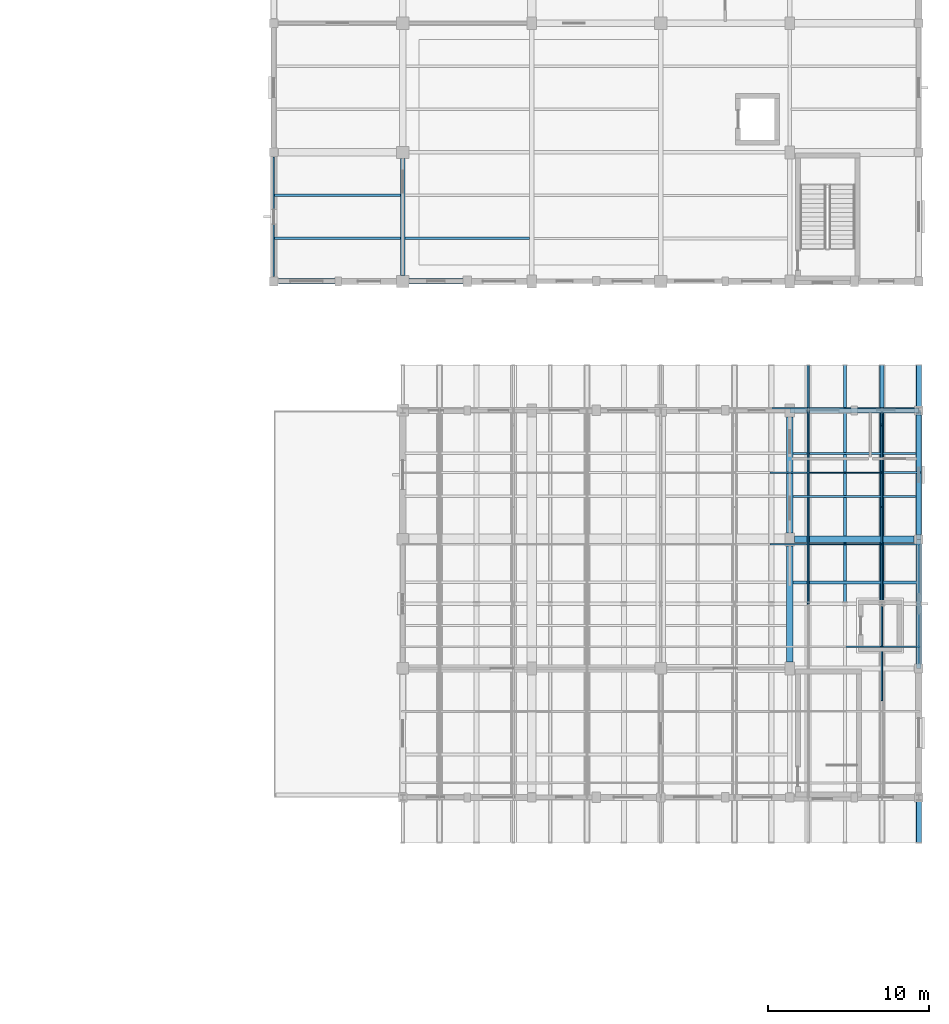
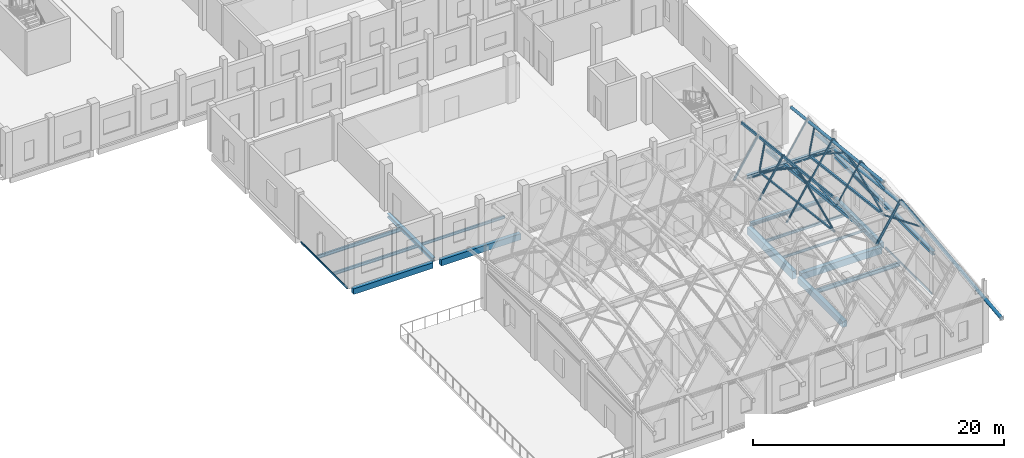
# One storey, part 24 of 77: 24 beams, 23 members.
"""IFC4 building model written with IfcOpenShell, lengths in metres."""

from ifc_helpers import new_model, si_unit, direction, frame, origin, origin_2d, place, context, subcontext, project, spatial, rectangle, hollow_rectangle, hollow_circle, i_section, extrude, material, material_profile, profile_set, type_object, element, save


model = new_model("IFC4")

# Units and contexts
model_context = context("Model", 3, precision=1e-05, world=origin(), true_north=direction((0.0, 1.0)))
body_context = subcontext(model_context, "Body", "Model", "MODEL_VIEW")
ifc_project = project(units=[si_unit("LENGTHUNIT", "METRE"), si_unit("AREAUNIT", "SQUARE_METRE"), si_unit("VOLUMEUNIT", "CUBIC_METRE"), si_unit("PLANEANGLEUNIT", "RADIAN"), si_unit("MASSUNIT", "GRAM", prefix="KILO")], contexts=[model_context])

# Site, building, storey
site_placement = place(None, origin())
site = spatial("IfcSite", under=ifc_project, at=site_placement, CompositionType="ELEMENT")
building_placement = place(site_placement, origin())
building = spatial("IfcBuilding", under=site, at=building_placement, Name="Luwemba Playhouse", CompositionType="ELEMENT")
storey_placement = place(building_placement, frame((0.0, 0.0, 9.300048828125)))
storey = spatial("IfcBuildingStorey", under=building, at=storey_placement, Name="L02", CompositionType="ELEMENT", Elevation=9.300048828125)

# Beams
ifc_material_1 = material(Name="Concrete C40/50", Category="concrete")
ifc_material_profile_1 = material_profile(ifc_material_1, rectangle(XDim=0.39990234375, YDim=0.60009765625, at=origin_2d()))
ifc_profile_set_1 = profile_set([ifc_material_profile_1], Name="Concrete C40/50")
beam_type_1 = type_object("IfcBeamType", Name="BM-RB01", PredefinedType="BEAM", material=ifc_profile_set_1)
beam_1_placement = place(storey_placement, frame((164.0, 44.39990234375, -0.550048828125), z_axis=(0.0, 1.0, 0.0), x_axis=(-1.0, 0.0, 0.0)))
element("IfcBeam", 1, at=beam_1_placement, inside=storey, type_object=beam_type_1, Name="L02 transverse girder 0720", PredefinedType="BEAM", context=body_context, shape_type="SweptSolid", body=[
    extrude(rectangle(XDim=0.39990234375, YDim=0.60009765625, at=origin_2d()), origin(), (0.0, 0.0, 1.0), 7.2001953125),
])
ifc_material_profile_2 = material_profile(ifc_material_1, rectangle(XDim=0.39990234375, YDim=0.64990234375, at=origin_2d()))
ifc_profile_set_2 = profile_set([ifc_material_profile_2], Name="Concrete C40/50")
beam_type_2 = type_object("IfcBeamType", Name="BM-RB02", PredefinedType="BEAM", material=ifc_profile_set_2)
beam_2_placement = place(storey_placement, frame((164.300048828125, 52.0, -0.574951171875), z_axis=(1.0, 0.0, 0.0), x_axis=(0.0, 1.0, 0.0)))
element("IfcBeam", 2, at=beam_2_placement, inside=storey, type_object=beam_type_2, Name="L02 grid girder 0707", PredefinedType="BEAM", context=body_context, shape_type="SweptSolid", body=[
    extrude(rectangle(XDim=0.39990234375, YDim=0.64990234375, at=origin_2d()), origin(), (0.0, 0.0, 1.0), 7.39990234375),
])
ifc_material_profile_3 = material_profile(ifc_material_1, rectangle(XDim=0.39990234375, YDim=0.75, at=origin_2d()))
ifc_profile_set_3 = profile_set([ifc_material_profile_3], Name="Concrete C40/50")
beam_type_3 = type_object("IfcBeamType", Name="BM-RB03", PredefinedType="BEAM", material=ifc_profile_set_3)
beam_3_placement = place(storey_placement, frame((164.0, 52.39990234375, -0.625), z_axis=(0.0, 1.0, 0.0), x_axis=(-1.0, 0.0, 0.0)))
element("IfcBeam", 3, at=beam_3_placement, inside=storey, type_object=beam_type_3, Name="L02 transverse girder 0721", PredefinedType="BEAM", context=body_context, shape_type="SweptSolid", body=[
    extrude(rectangle(XDim=0.39990234375, YDim=0.75, at=origin_2d()), origin(), (0.0, 0.0, 1.0), 7.2001953125),
])
ifc_material_2 = material(Name="Steel S355", Category="steel")
ifc_material_profile_4 = material_profile(ifc_material_2, hollow_rectangle(XDim=0.14990234375, YDim=0.25, WallThickness=0.010009765625, InnerFilletRadius=0.014892578125, OuterFilletRadius=0.02490234375, at=origin_2d()))
ifc_profile_set_4 = profile_set([ifc_material_profile_4], Name="Steel S355")
beam_type_4 = type_object("IfcBeamType", Name="BM-RTG1", PredefinedType="USERDEFINED", material=ifc_profile_set_4)
beam_4_placement = place(storey_placement, frame((165.142822265625, 48.110107421875, 9.130859375), z_axis=(0.0, 0.993768187881, -0.11146653648), x_axis=(-1.0, 0.0, 0.0)))
element("IfcBeam", 4, at=beam_4_placement, inside=storey, type_object=beam_type_4, Name="ROOF TRUSS ridge girder 0188", ObjectType="ROOF TRUSS", PredefinedType="USERDEFINED", context=body_context, shape_type="SweptSolid", body=[
    extrude(hollow_rectangle(XDim=0.14990234375, YDim=0.25, WallThickness=0.010009765625, InnerFilletRadius=0.014892578125, OuterFilletRadius=0.02490234375, at=origin_2d()), origin(), (0.0, 0.0, 1.0), 14.781982421875),
])
ifc_material_profile_5 = material_profile(ifc_material_2, hollow_rectangle(XDim=0.199951171875, YDim=0.300048828125, WallThickness=0.012451171875, InnerFilletRadius=0.018798828125, OuterFilletRadius=0.03125, at=origin_2d()))
ifc_profile_set_5 = profile_set([ifc_material_profile_5], Name="Steel S355")
beam_type_5 = type_object("IfcBeamType", Name="BM-RTG2", PredefinedType="USERDEFINED", material=ifc_profile_set_5)
beam_5_placement = place(storey_placement, frame((167.4287109375, 48.110107421875, 5.645751953125), z_axis=(0.0, 0.993768187881, -0.11146653648), x_axis=(-1.0, 0.0, 0.0)))
element("IfcBeam", 5, at=beam_5_placement, inside=storey, type_object=beam_type_5, Name="ROOF TRUSS valley girder 0190", ObjectType="ROOF TRUSS", PredefinedType="USERDEFINED", context=body_context, shape_type="SweptSolid", body=[
    extrude(hollow_rectangle(XDim=0.199951171875, YDim=0.300048828125, WallThickness=0.012451171875, InnerFilletRadius=0.018798828125, OuterFilletRadius=0.03125, at=origin_2d()), origin(), (0.0, 0.0, 1.0), 14.781982421875),
])
ifc_material_profile_6 = material_profile(ifc_material_2, hollow_circle(Radius=0.136474609375, WallThickness=0.012451171875, at=origin_2d()))
ifc_profile_set_6 = profile_set([ifc_material_profile_6], Name="Steel S355")
beam_type_6 = type_object("IfcBeamType", Name="BM-RTG3", PredefinedType="USERDEFINED", material=ifc_profile_set_6)
beam_6_placement = place(storey_placement, frame((169.71435546875, 48.110107421875, 9.02099609375), z_axis=(0.0, 0.993768187881, -0.11146653648), x_axis=(-1.0, 0.0, 0.0)))
element("IfcBeam", 6, at=beam_6_placement, inside=storey, type_object=beam_type_6, Name="ROOF TRUSS ridge girder 0192", ObjectType="ROOF TRUSS", PredefinedType="USERDEFINED", context=body_context, shape_type="SweptSolid", body=[
    extrude(hollow_circle(Radius=0.136474609375, WallThickness=0.012451171875, at=origin_2d()), origin(), (0.0, 0.0, 1.0), 14.781982421875),
])
ifc_material_profile_7 = material_profile(ifc_material_2, hollow_circle(Radius=0.161865234375, WallThickness=0.01611328125, at=origin_2d()))
ifc_profile_set_7 = profile_set([ifc_material_profile_7], Name="Steel S355")
beam_type_7 = type_object("IfcBeamType", Name="BM-RTG4", PredefinedType="USERDEFINED", material=ifc_profile_set_7)
for number, where, z_axis, x_axis, name in (
    (7, (172.0, 33.199951171875, 3.986083984375), (0.0, 0.993766358241, 0.111482847235), (-1.0, 0.0, 0.0), "ROOF TRUSS valley girder 0193"),
    (8, (172.0, 48.110107421875, 5.634033203125), (0.0, 0.993766358241, -0.111482847235), (-1.0, 0.0, 0.0), "ROOF TRUSS valley girder 0194"),
):
    element("IfcBeam", number, at=place(storey_placement, frame(where, z_axis=z_axis, x_axis=x_axis)), inside=storey, type_object=beam_type_7, Name=name, ObjectType="ROOF TRUSS", PredefinedType="USERDEFINED", context=body_context, shape_type="SweptSolid", body=[
        extrude(hollow_circle(Radius=0.161865234375, WallThickness=0.01611328125, at=origin_2d()), origin(), (0.0, 0.0, 1.0), 14.781982421875),
    ])
ifc_material_profile_8 = material_profile(ifc_material_2, i_section(OverallWidth=0.300048828125, OverallDepth=0.360107421875, WebThickness=0.012451171875, FlangeThickness=0.0224609375, FilletRadius=0.027099609375, at=origin_2d()))
ifc_profile_set_8 = profile_set([ifc_material_profile_8], Name="Steel S355")
beam_type_8 = type_object("IfcBeamType", Name="BM-SB09", PredefinedType="BEAM", material=ifc_profile_set_8)
beam_7_placement = place(storey_placement, frame((140.0, 68.375, -0.429931640625), z_axis=(0.0, 1.0, 0.0), x_axis=(-1.0, 0.0, 0.0)))
element("IfcBeam", 9, at=beam_7_placement, inside=storey, type_object=beam_type_8, Name="L02 transverse girder 0746", PredefinedType="BEAM", context=body_context, shape_type="SweptSolid", body=[
    extrude(i_section(OverallWidth=0.300048828125, OverallDepth=0.360107421875, WebThickness=0.012451171875, FlangeThickness=0.0224609375, FilletRadius=0.027099609375, at=origin_2d()), origin(), (0.0, 0.0, 1.0), 7.25),
])
for number, where, z_axis, x_axis, name in (
    (10, (164.0, 60.0, 4.320068359375), (1.0, 0.0, 0.0), (0.0, 1.0, 0.0), "RF-V3 eave ring beam 0155"),
    (11, (172.0, 44.0, 3.780029296875), (0.0, 1.0, 0.0), (-1.0, 0.0, 0.0), "RF-V3 gable ring beam 0160"),
    (12, (172.0, 52.0, 3.780029296875), (0.0, 1.0, 0.0), (-1.0, 0.0, 0.0), "RF-V3 gable ring beam 0161"),
):
    element("IfcBeam", number, at=place(storey_placement, frame(where, z_axis=z_axis, x_axis=x_axis)), inside=storey, type_object=beam_type_8, Name=name, PredefinedType="BEAM", context=body_context, shape_type="SweptSolid", body=[
        extrude(i_section(OverallWidth=0.300048828125, OverallDepth=0.360107421875, WebThickness=0.012451171875, FlangeThickness=0.0224609375, FilletRadius=0.027099609375, at=origin_2d()), origin(), (0.0, 0.0, 1.0), 8.0),
    ])
ifc_material_profile_9 = material_profile(ifc_material_2, i_section(OverallWidth=0.1201171875, OverallDepth=0.239990234375, WebThickness=0.006103515625, FlangeThickness=0.009765625, FilletRadius=0.014892578125, at=origin_2d()))
ifc_profile_set_9 = profile_set([ifc_material_profile_9], Name="Steel S355")
beam_type_9 = type_object("IfcBeamType", Name="BM-SJ03", PredefinedType="JOIST", material=ifc_profile_set_9)
beam_8_placement = place(storey_placement, frame((164.196044921875, 54.666748046875, -0.3701171875), z_axis=(1.0, 0.0, 0.0), x_axis=(0.0, 1.0, 0.0)))
element("IfcBeam", 13, at=beam_8_placement, inside=storey, type_object=beam_type_9, Name="L02 composite floor joist 0423", PredefinedType="JOIST", context=body_context, shape_type="SweptSolid", body=[
    extrude(i_section(OverallWidth=0.1201171875, OverallDepth=0.239990234375, WebThickness=0.006103515625, FlangeThickness=0.009765625, FilletRadius=0.014892578125, at=origin_2d()), origin(), (0.0, 0.0, 1.0), 7.633056640625),
])
ifc_material_profile_10 = material_profile(ifc_material_2, i_section(OverallWidth=0.135009765625, OverallDepth=0.27001953125, WebThickness=0.006591796875, FlangeThickness=0.01025390625, FilletRadius=0.014892578125, at=origin_2d()))
ifc_profile_set_10 = profile_set([ifc_material_profile_10], Name="Steel S355")
beam_type_10 = type_object("IfcBeamType", Name="BM-SJ04", PredefinedType="JOIST", material=ifc_profile_set_10)
beam_9_placement = place(storey_placement, frame((164.196044921875, 57.333251953125, -0.385009765625), z_axis=(1.0, 0.0, 0.0), x_axis=(0.0, 1.0, 0.0)))
element("IfcBeam", 14, at=beam_9_placement, inside=storey, type_object=beam_type_10, Name="L02 composite floor joist 0424", PredefinedType="JOIST", context=body_context, shape_type="SweptSolid", body=[
    extrude(i_section(OverallWidth=0.135009765625, OverallDepth=0.27001953125, WebThickness=0.006591796875, FlangeThickness=0.01025390625, FilletRadius=0.014892578125, at=origin_2d()), origin(), (0.0, 0.0, 1.0), 7.633056640625),
])
beam_10_placement = place(storey_placement, frame((140.14599609375, 70.666748046875, -0.385009765625), z_axis=(1.0, 0.0, 0.0), x_axis=(0.0, 1.0, 0.0)))
element("IfcBeam", 15, at=beam_10_placement, inside=storey, type_object=beam_type_10, Name="L02 composite floor joist 0430", PredefinedType="JOIST", context=body_context, shape_type="SweptSolid", body=[
    extrude(i_section(OverallWidth=0.135009765625, OverallDepth=0.27001953125, WebThickness=0.006591796875, FlangeThickness=0.01025390625, FilletRadius=0.014892578125, at=origin_2d()), origin(), (0.0, 0.0, 1.0), 7.7080078125),
])
ifc_material_profile_11 = material_profile(ifc_material_2, i_section(OverallWidth=0.14990234375, OverallDepth=0.300048828125, WebThickness=0.007080078125, FlangeThickness=0.0107421875, FilletRadius=0.014892578125, at=origin_2d()))
ifc_profile_set_11 = profile_set([ifc_material_profile_11], Name="Steel S355")
beam_type_11 = type_object("IfcBeamType", Name="BM-SJ05", PredefinedType="JOIST", material=ifc_profile_set_11)
beam_11_placement = place(storey_placement, frame((132.0458984375, 70.666748046875, -0.400146484375), z_axis=(1.0, 0.0, 0.0), x_axis=(0.0, 1.0, 0.0)))
element("IfcBeam", 16, at=beam_11_placement, inside=storey, type_object=beam_type_11, Name="L02 composite floor joist 0425", PredefinedType="JOIST", context=body_context, shape_type="SweptSolid", body=[
    extrude(i_section(OverallWidth=0.14990234375, OverallDepth=0.300048828125, WebThickness=0.007080078125, FlangeThickness=0.0107421875, FilletRadius=0.014892578125, at=origin_2d()), origin(), (0.0, 0.0, 1.0), 7.80810546875),
])
ifc_material_profile_12 = material_profile(ifc_material_2, i_section(OverallWidth=0.159912109375, OverallDepth=0.330078125, WebThickness=0.007568359375, FlangeThickness=0.011474609375, FilletRadius=0.01806640625, at=origin_2d()))
ifc_profile_set_12 = profile_set([ifc_material_profile_12], Name="Steel S355")
beam_type_12 = type_object("IfcBeamType", Name="BM-SJ06", PredefinedType="JOIST", material=ifc_profile_set_12)
beam_12_placement = place(storey_placement, frame((132.0458984375, 73.333251953125, -0.4150390625), z_axis=(1.0, 0.0, 0.0), x_axis=(0.0, 1.0, 0.0)))
element("IfcBeam", 17, at=beam_12_placement, inside=storey, type_object=beam_type_12, Name="L02 composite floor joist 0426", PredefinedType="JOIST", context=body_context, shape_type="SweptSolid", body=[
    extrude(i_section(OverallWidth=0.159912109375, OverallDepth=0.330078125, WebThickness=0.007568359375, FlangeThickness=0.011474609375, FilletRadius=0.01806640625, at=origin_2d()), origin(), (0.0, 0.0, 1.0), 7.80810546875),
])
ifc_material_profile_13 = material_profile(ifc_material_2, i_section(OverallWidth=0.179931640625, OverallDepth=0.39990234375, WebThickness=0.008544921875, FlangeThickness=0.013427734375, FilletRadius=0.02099609375, at=origin_2d()))
ifc_profile_set_13 = profile_set([ifc_material_profile_13], Name="Steel S355")
beam_type_13 = type_object("IfcBeamType", Name="BM-SJ08", PredefinedType="JOIST", material=ifc_profile_set_13)
beam_13_placement = place(storey_placement, frame((164.196044921875, 49.333251953125, -0.449951171875), z_axis=(1.0, 0.0, 0.0), x_axis=(0.0, 1.0, 0.0)))
element("IfcBeam", 18, at=beam_13_placement, inside=storey, type_object=beam_type_13, Name="L02 composite floor joist 0422", PredefinedType="JOIST", context=body_context, shape_type="SweptSolid", body=[
    extrude(i_section(OverallWidth=0.179931640625, OverallDepth=0.39990234375, WebThickness=0.008544921875, FlangeThickness=0.013427734375, FilletRadius=0.02099609375, at=origin_2d()), origin(), (0.0, 0.0, 1.0), 7.758056640625),
])
ifc_material_profile_14 = material_profile(ifc_material_1, rectangle(XDim=0.35009765625, YDim=0.550048828125, at=origin_2d()))
ifc_profile_set_14 = profile_set([ifc_material_profile_14], Name="Concrete C40/50")
beam_type_14 = type_object("IfcBeamType", Name="BM-SP2", PredefinedType="SPANDREL", material=ifc_profile_set_14)
beam_14_placement = place(storey_placement, frame((172.0, 52.300048828125, -0.525146484375), z_axis=(0.0, 1.0, 0.0), x_axis=(-1.0, 0.0, 0.0)))
element("IfcBeam", 19, at=beam_14_placement, inside=storey, type_object=beam_type_14, Name="L02 transverse girder 0724", PredefinedType="SPANDREL", context=body_context, shape_type="SweptSolid", body=[
    extrude(rectangle(XDim=0.35009765625, YDim=0.550048828125, at=origin_2d()), origin(), (0.0, 0.0, 1.0), 7.39990234375),
])
beam_15_placement = place(storey_placement, frame((132.300048828125, 68.0, -0.525146484375), z_axis=(1.0, 0.0, 0.0), x_axis=(0.0, 1.0, 0.0)))
element("IfcBeam", 20, at=beam_15_placement, inside=storey, type_object=beam_type_14, Name="L02 grid girder 0725", PredefinedType="SPANDREL", context=body_context, shape_type="SweptSolid", body=[
    extrude(rectangle(XDim=0.35009765625, YDim=0.550048828125, at=origin_2d()), origin(), (0.0, 0.0, 1.0), 7.324951171875),
])
ifc_material_profile_15 = material_profile(ifc_material_1, rectangle(XDim=0.35009765625, YDim=0.60009765625, at=origin_2d()))
ifc_profile_set_15 = profile_set([ifc_material_profile_15], Name="Concrete C40/50")
beam_type_15 = type_object("IfcBeamType", Name="BM-SP3", PredefinedType="SPANDREL", material=ifc_profile_set_15)
beam_16_placement = place(storey_placement, frame((140.375, 68.0, -0.550048828125), z_axis=(1.0, 0.0, 0.0), x_axis=(0.0, 1.0, 0.0)))
element("IfcBeam", 21, at=beam_16_placement, inside=storey, type_object=beam_type_15, Name="L02 grid girder 0726", PredefinedType="SPANDREL", context=body_context, shape_type="SweptSolid", body=[
    extrude(rectangle(XDim=0.35009765625, YDim=0.60009765625, at=origin_2d()), origin(), (0.0, 0.0, 1.0), 7.324951171875),
])
ifc_material_profile_16 = material_profile(ifc_material_2, i_section(OverallWidth=0.300048828125, OverallDepth=0.300048828125, WebThickness=0.010986328125, FlangeThickness=0.01904296875, FilletRadius=0.027099609375, at=origin_2d()))
ifc_profile_set_16 = profile_set([ifc_material_profile_16], Name="Steel S355")
beam_type_16 = type_object("IfcBeamType", Name="BM-SSP1", PredefinedType="SPANDREL", material=ifc_profile_set_16)
beam_17_placement = place(storey_placement, frame((164.300048828125, 60.0, -0.400146484375), z_axis=(1.0, 0.0, 0.0), x_axis=(0.0, 1.0, 0.0)))
element("IfcBeam", 22, at=beam_17_placement, inside=storey, type_object=beam_type_16, Name="L02 grid girder 0711", PredefinedType="SPANDREL", context=body_context, shape_type="SweptSolid", body=[
    extrude(i_section(OverallWidth=0.300048828125, OverallDepth=0.300048828125, WebThickness=0.010986328125, FlangeThickness=0.01904296875, FilletRadius=0.027099609375, at=origin_2d()), origin(), (0.0, 0.0, 1.0), 7.39990234375),
])
ifc_material_profile_17 = material_profile(ifc_material_2, hollow_rectangle(XDim=0.10009765625, YDim=0.199951171875, WallThickness=0.008056640625, InnerFilletRadius=0.011962890625, OuterFilletRadius=0.02001953125, at=origin_2d()))
ifc_profile_set_17 = profile_set([ifc_material_profile_17], Name="Steel S355")
beam_type_17 = type_object("IfcBeamType", Name="BM-SSP2", PredefinedType="SPANDREL", material=ifc_profile_set_17)
for number, where, z_axis, x_axis, name in (
    (23, (172.0, 44.300048828125, -0.35009765625), (0.0, 1.0, 0.0), (-1.0, 0.0, 0.0), "L02 transverse girder 0723"),
    (24, (132.0, 68.300048828125, -0.35009765625), (0.0, 1.0, 0.0), (-1.0, 0.0, 0.0), "L02 transverse girder 0743"),
):
    element("IfcBeam", number, at=place(storey_placement, frame(where, z_axis=z_axis, x_axis=x_axis)), inside=storey, type_object=beam_type_17, Name=name, PredefinedType="SPANDREL", context=body_context, shape_type="SweptSolid", body=[
        extrude(hollow_rectangle(XDim=0.10009765625, YDim=0.199951171875, WallThickness=0.008056640625, InnerFilletRadius=0.011962890625, OuterFilletRadius=0.02001953125, at=origin_2d()), origin(), (0.0, 0.0, 1.0), 7.39990234375),
    ])

# Members
ifc_material_profile_18 = material_profile(ifc_material_2, hollow_circle(Radius=0.084228515625, WallThickness=0.008056640625, at=origin_2d()))
ifc_profile_set_18 = profile_set([ifc_material_profile_18], Name="Steel S355")
member_type_1 = type_object("IfcMemberType", Name="MEM-MB02", PredefinedType="BRACE", material=ifc_profile_set_18)
member_1_placement = place(storey_placement, frame((165.142822265625, 48.0, 5.865966796875), z_axis=(0.0, 0.917318518715, 0.398154160121), x_axis=(-1.0, 0.0, 0.0)))
element("IfcMember", 25, at=member_1_placement, inside=storey, type_object=member_type_1, Name="ROOF TRUSS web diagonal 0173", PredefinedType="BRACE", context=body_context, shape_type="SweptSolid", body=[
    extrude(hollow_circle(Radius=0.084228515625, WallThickness=0.008056640625, at=origin_2d()), origin(), (0.0, 0.0, 1.0), 6.540771484375),
])
member_2_placement = place(storey_placement, frame((165.142822265625, 60.0, 4.39990234375), z_axis=(0.0, -0.827547289688, 0.561396012926), x_axis=(1.0, 0.0, 0.0)))
element("IfcMember", 26, at=member_2_placement, inside=storey, type_object=member_type_1, Name="ROOF TRUSS web diagonal 0174", PredefinedType="BRACE", context=body_context, shape_type="SweptSolid", body=[
    extrude(hollow_circle(Radius=0.084228515625, WallThickness=0.008056640625, at=origin_2d()), origin(), (0.0, 0.0, 1.0), 7.250244140625),
])
member_3_placement = place(storey_placement, frame((165.142822265625, 60.0, 4.39990234375), z_axis=(0.0, -0.249129793449, 0.968470105897), x_axis=(1.0, 0.0, 0.0)))
element("IfcMember", 27, at=member_3_placement, inside=storey, type_object=member_type_1, Name="ROOF TRUSS eave knee strut 0041", PredefinedType="BRACE", context=body_context, shape_type="SweptSolid", body=[
    extrude(hollow_circle(Radius=0.084228515625, WallThickness=0.008056640625, at=origin_2d()), origin(), (0.0, 0.0, 1.0), 3.6123046875),
])
ifc_material_profile_19 = material_profile(ifc_material_2, hollow_rectangle(XDim=0.1201171875, YDim=0.1201171875, WallThickness=0.008056640625, InnerFilletRadius=0.011962890625, OuterFilletRadius=0.02001953125, at=origin_2d()))
ifc_profile_set_19 = profile_set([ifc_material_profile_19], Name="Steel S355")
member_type_2 = type_object("IfcMemberType", Name="MEM-MB06", PredefinedType="BRACE", material=ifc_profile_set_19)
for number, where, z_axis, x_axis, name in (
    (28, (169.71435546875, 48.0, 5.865966796875), (0.0, -0.923383434978, 0.38387892884), (1.0, 0.0, 0.0), "ROOF TRUSS web diagonal 0178"),
    (29, (169.71435546875, 48.0, 5.865966796875), (0.0, 0.923383434978, 0.38387892884), (-1.0, 0.0, 0.0), "ROOF TRUSS web diagonal 0179"),
):
    element("IfcMember", number, at=place(storey_placement, frame(where, z_axis=z_axis, x_axis=x_axis)), inside=storey, type_object=member_type_2, Name=name, PredefinedType="BRACE", context=body_context, shape_type="SweptSolid", body=[
        extrude(hollow_rectangle(XDim=0.1201171875, YDim=0.1201171875, WallThickness=0.008056640625, InnerFilletRadius=0.011962890625, OuterFilletRadius=0.02001953125, at=origin_2d()), origin(), (0.0, 0.0, 1.0), 6.497802734375),
    ])
member_4_placement = place(storey_placement, frame((169.71435546875, 60.0, 4.39990234375), z_axis=(0.0, -0.834580678747, 0.550885732854), x_axis=(1.0, 0.0, 0.0)))
element("IfcMember", 30, at=member_4_placement, inside=storey, type_object=member_type_2, Name="ROOF TRUSS web diagonal 0180", PredefinedType="BRACE", context=body_context, shape_type="SweptSolid", body=[
    extrude(hollow_rectangle(XDim=0.1201171875, YDim=0.1201171875, WallThickness=0.008056640625, InnerFilletRadius=0.011962890625, OuterFilletRadius=0.02001953125, at=origin_2d()), origin(), (0.0, 0.0, 1.0), 7.189208984375),
])
member_5_placement = place(storey_placement, frame((169.71435546875, 60.0, 4.39990234375), z_axis=(0.0, -0.256682973169, 0.966495655078), x_axis=(1.0, 0.0, 0.0)))
element("IfcMember", 31, at=member_5_placement, inside=storey, type_object=member_type_2, Name="ROOF TRUSS eave knee strut 0043", PredefinedType="BRACE", context=body_context, shape_type="SweptSolid", body=[
    extrude(hollow_rectangle(XDim=0.1201171875, YDim=0.1201171875, WallThickness=0.008056640625, InnerFilletRadius=0.011962890625, OuterFilletRadius=0.02001953125, at=origin_2d()), origin(), (0.0, 0.0, 1.0), 3.505859375),
])
ifc_material_profile_20 = material_profile(ifc_material_2, hollow_rectangle(XDim=0.14990234375, YDim=0.14990234375, WallThickness=0.010009765625, InnerFilletRadius=0.014892578125, OuterFilletRadius=0.02490234375, at=origin_2d()))
ifc_profile_set_20 = profile_set([ifc_material_profile_20], Name="Steel S355")
member_type_3 = type_object("IfcMemberType", Name="MEM-MC02", PredefinedType="CHORD", material=ifc_profile_set_20)
member_6_placement = place(storey_placement, frame((165.142822265625, 48.0, 5.865966796875), z_axis=(0.0, 0.99261951546, -0.121270348924), x_axis=(-1.0, 0.0, 0.0)))
element("IfcMember", 32, at=member_6_placement, inside=storey, type_object=member_type_3, Name="ROOF TRUSS north bottom chord 0170", PredefinedType="CHORD", context=body_context, shape_type="SweptSolid", body=[
    extrude(hollow_rectangle(XDim=0.14990234375, YDim=0.14990234375, WallThickness=0.010009765625, InnerFilletRadius=0.014892578125, OuterFilletRadius=0.02490234375, at=origin_2d()), origin(), (0.0, 0.0, 1.0), 12.089111328125),
])
ifc_material_profile_21 = material_profile(ifc_material_2, hollow_rectangle(XDim=0.199951171875, YDim=0.199951171875, WallThickness=0.012451171875, InnerFilletRadius=0.018798828125, OuterFilletRadius=0.03125, at=origin_2d()))
ifc_profile_set_21 = profile_set([ifc_material_profile_21], Name="Steel S355")
member_type_4 = type_object("IfcMemberType", Name="MEM-MC04", PredefinedType="CHORD", material=ifc_profile_set_21)
member_7_placement = place(storey_placement, frame((169.71435546875, 48.0, 5.865966796875), z_axis=(0.0, 0.99261951546, -0.121270348924), x_axis=(-1.0, 0.0, 0.0)))
element("IfcMember", 33, at=member_7_placement, inside=storey, type_object=member_type_4, Name="ROOF TRUSS north bottom chord 0176", PredefinedType="CHORD", context=body_context, shape_type="SweptSolid", body=[
    extrude(hollow_rectangle(XDim=0.199951171875, YDim=0.199951171875, WallThickness=0.012451171875, InnerFilletRadius=0.018798828125, OuterFilletRadius=0.03125, at=origin_2d()), origin(), (0.0, 0.0, 1.0), 12.089111328125),
])
ifc_material_profile_22 = material_profile(ifc_material_2, hollow_rectangle(XDim=0.080078125, YDim=0.1201171875, WallThickness=0.00634765625, InnerFilletRadius=0.009521484375, OuterFilletRadius=0.015869140625, at=origin_2d()))
ifc_profile_set_22 = profile_set([ifc_material_profile_22], Name="Steel S355")
member_type_5 = type_object("IfcMemberType", Name="MEM-MP01", PredefinedType="PURLIN", material=ifc_profile_set_22)
for number, where, z_axis, x_axis, name in (
    (34, (167.4287109375, 51.699951171875, 5.274169921875), (0.530309496681, 0.0, 0.847804126984), (0.0, 1.0, 0.0), "Pleated roof purlin 0352"),
    (35, (169.71435546875, 60.135986328125, 7.98193359375), (0.530309496681, 0.0, -0.847804126984), (0.0, 1.0, 0.0), "Pleated roof purlin 0360"),
):
    element("IfcMember", number, at=place(storey_placement, frame(where, z_axis=z_axis, x_axis=x_axis)), inside=storey, type_object=member_type_5, Name=name, PredefinedType="PURLIN", context=body_context, shape_type="SweptSolid", body=[
        extrude(hollow_rectangle(XDim=0.080078125, YDim=0.1201171875, WallThickness=0.00634765625, InnerFilletRadius=0.009521484375, OuterFilletRadius=0.015869140625, at=origin_2d()), origin(), (0.0, 0.0, 1.0), 4.31005859375),
    ])
ifc_material_profile_23 = material_profile(ifc_material_2, hollow_rectangle(XDim=0.10009765625, YDim=0.14990234375, WallThickness=0.008056640625, InnerFilletRadius=0.011962890625, OuterFilletRadius=0.02001953125, at=origin_2d()))
ifc_profile_set_23 = profile_set([ifc_material_profile_23], Name="Steel S355")
member_type_6 = type_object("IfcMemberType", Name="MEM-MP02", PredefinedType="PURLIN", material=ifc_profile_set_23)
member_8_placement = place(storey_placement, frame((167.4287109375, 56.139892578125, 4.745361328125), z_axis=(0.530334965128, 0.0, 0.847788195697), x_axis=(0.0, 1.0, 0.0)))
element("IfcMember", 36, at=member_8_placement, inside=storey, type_object=member_type_6, Name="Pleated roof purlin 0353", PredefinedType="PURLIN", context=body_context, shape_type="SweptSolid", body=[
    extrude(hollow_rectangle(XDim=0.10009765625, YDim=0.14990234375, WallThickness=0.008056640625, InnerFilletRadius=0.011962890625, OuterFilletRadius=0.02001953125, at=origin_2d()), origin(), (0.0, 0.0, 1.0), 4.309814453125),
])
ifc_material_profile_24 = material_profile(ifc_material_2, hollow_rectangle(XDim=0.080078125, YDim=0.159912109375, WallThickness=0.00634765625, InnerFilletRadius=0.009521484375, OuterFilletRadius=0.015869140625, at=origin_2d()))
ifc_profile_set_24 = profile_set([ifc_material_profile_24], Name="Steel S355")
member_type_7 = type_object("IfcMemberType", Name="MEM-MP03", PredefinedType="PURLIN", material=ifc_profile_set_24)
member_9_placement = place(storey_placement, frame((165.142822265625, 51.699951171875, 8.908203125), z_axis=(0.530350209601, 0.0, -0.847778659307), x_axis=(0.0, 1.0, 0.0)))
element("IfcMember", 37, at=member_9_placement, inside=storey, type_object=member_type_7, Name="Pleated roof purlin 0346", PredefinedType="PURLIN", context=body_context, shape_type="SweptSolid", body=[
    extrude(hollow_rectangle(XDim=0.080078125, YDim=0.159912109375, WallThickness=0.00634765625, InnerFilletRadius=0.009521484375, OuterFilletRadius=0.015869140625, at=origin_2d()), origin(), (0.0, 0.0, 1.0), 4.31005859375),
])
member_10_placement = place(storey_placement, frame((167.4287109375, 60.135986328125, 4.30810546875), z_axis=(0.530334965128, 0.0, 0.847788195697), x_axis=(0.0, 1.0, 0.0)))
element("IfcMember", 38, at=member_10_placement, inside=storey, type_object=member_type_7, Name="Pleated roof purlin 0354", PredefinedType="PURLIN", context=body_context, shape_type="SweptSolid", body=[
    extrude(hollow_rectangle(XDim=0.080078125, YDim=0.159912109375, WallThickness=0.00634765625, InnerFilletRadius=0.009521484375, OuterFilletRadius=0.015869140625, at=origin_2d()), origin(), (0.0, 0.0, 1.0), 4.309814453125),
])
ifc_material_profile_25 = material_profile(ifc_material_2, hollow_rectangle(XDim=0.10009765625, YDim=0.179931640625, WallThickness=0.008056640625, InnerFilletRadius=0.011962890625, OuterFilletRadius=0.02001953125, at=origin_2d()))
ifc_profile_set_25 = profile_set([ifc_material_profile_25], Name="Steel S355")
member_type_8 = type_object("IfcMemberType", Name="MEM-MP04", PredefinedType="PURLIN", material=ifc_profile_set_25)
member_11_placement = place(storey_placement, frame((165.142822265625, 56.139892578125, 8.384033203125), z_axis=(0.530375678473, 0.0, -0.847762726053), x_axis=(0.0, 1.0, 0.0)))
element("IfcMember", 39, at=member_11_placement, inside=storey, type_object=member_type_8, Name="Pleated roof purlin 0347", PredefinedType="PURLIN", context=body_context, shape_type="SweptSolid", body=[
    extrude(hollow_rectangle(XDim=0.10009765625, YDim=0.179931640625, WallThickness=0.008056640625, InnerFilletRadius=0.011962890625, OuterFilletRadius=0.02001953125, at=origin_2d()), origin(), (0.0, 0.0, 1.0), 4.31005859375),
])
ifc_material_profile_26 = material_profile(ifc_material_2, i_section(OverallWidth=0.08203125, OverallDepth=0.159912109375, WebThickness=0.0048828125, FlangeThickness=0.00732421875, FilletRadius=0.009033203125, at=origin_2d()))
ifc_profile_set_26 = profile_set([ifc_material_profile_26], Name="Steel S355")
member_type_9 = type_object("IfcMemberType", Name="MEM-MP05", PredefinedType="PURLIN", material=ifc_profile_set_26)
member_12_placement = place(storey_placement, frame((162.857177734375, 51.699951171875, 5.25244140625), z_axis=(0.530284030201, 0.0, 0.847820055975), x_axis=(0.0, 1.0, 0.0)))
element("IfcMember", 40, at=member_12_placement, inside=storey, type_object=member_type_9, Name="Pleated roof purlin 0340", PredefinedType="PURLIN", context=body_context, shape_type="SweptSolid", body=[
    extrude(i_section(OverallWidth=0.08203125, OverallDepth=0.159912109375, WebThickness=0.0048828125, FlangeThickness=0.00732421875, FilletRadius=0.009033203125, at=origin_2d()), origin(), (0.0, 0.0, 1.0), 4.310302734375),
])
member_13_placement = place(storey_placement, frame((165.142822265625, 60.135986328125, 7.960205078125), z_axis=(0.530375678473, 0.0, -0.847762726053), x_axis=(0.0, 1.0, 0.0)))
element("IfcMember", 41, at=member_13_placement, inside=storey, type_object=member_type_9, Name="Pleated roof purlin 0348", PredefinedType="PURLIN", context=body_context, shape_type="SweptSolid", body=[
    extrude(i_section(OverallWidth=0.08203125, OverallDepth=0.159912109375, WebThickness=0.0048828125, FlangeThickness=0.00732421875, FilletRadius=0.009033203125, at=origin_2d()), origin(), (0.0, 0.0, 1.0), 4.31005859375),
])
ifc_material_profile_27 = material_profile(ifc_material_2, i_section(OverallWidth=0.091064453125, OverallDepth=0.179931640625, WebThickness=0.00537109375, FlangeThickness=0.008056640625, FilletRadius=0.009033203125, at=origin_2d()))
ifc_profile_set_27 = profile_set([ifc_material_profile_27], Name="Steel S355")
member_type_10 = type_object("IfcMemberType", Name="MEM-MP06", PredefinedType="PURLIN", material=ifc_profile_set_27)
for number, where, z_axis, x_axis, name in (
    (42, (162.857177734375, 56.139892578125, 4.7373046875), (0.530309496681, 0.0, 0.847804126984), (0.0, 1.0, 0.0), "Pleated roof purlin 0341"),
    (43, (169.71435546875, 45.3359375, 9.005615234375), (0.530309496681, 0.0, -0.847804126984), (0.0, 1.0, 0.0), "Pleated roof purlin 0357"),
):
    element("IfcMember", number, at=place(storey_placement, frame(where, z_axis=z_axis, x_axis=x_axis)), inside=storey, type_object=member_type_10, Name=name, PredefinedType="PURLIN", context=body_context, shape_type="SweptSolid", body=[
        extrude(i_section(OverallWidth=0.091064453125, OverallDepth=0.179931640625, WebThickness=0.00537109375, FlangeThickness=0.008056640625, FilletRadius=0.009033203125, at=origin_2d()), origin(), (0.0, 0.0, 1.0), 4.31005859375),
    ])
ifc_material_profile_28 = material_profile(ifc_material_2, i_section(OverallWidth=0.10009765625, OverallDepth=0.199951171875, WebThickness=0.005615234375, FlangeThickness=0.008544921875, FilletRadius=0.011962890625, at=origin_2d()))
ifc_profile_set_28 = profile_set([ifc_material_profile_28], Name="Steel S355")
member_type_11 = type_object("IfcMemberType", Name="MEM-MP07", PredefinedType="PURLIN", material=ifc_profile_set_28)
member_14_placement = place(storey_placement, frame((162.857177734375, 60.135986328125, 4.27197265625), z_axis=(0.530309496681, 0.0, 0.847804126984), x_axis=(0.0, 1.0, 0.0)))
element("IfcMember", 44, at=member_14_placement, inside=storey, type_object=member_type_11, Name="Pleated roof purlin 0342", PredefinedType="PURLIN", context=body_context, shape_type="SweptSolid", body=[
    extrude(i_section(OverallWidth=0.10009765625, OverallDepth=0.199951171875, WebThickness=0.005615234375, FlangeThickness=0.008544921875, FilletRadius=0.011962890625, at=origin_2d()), origin(), (0.0, 0.0, 1.0), 4.31005859375),
])
member_15_placement = place(storey_placement, frame((169.71435546875, 51.699951171875, 8.8720703125), z_axis=(0.530334965128, 0.0, -0.847788195697), x_axis=(0.0, 1.0, 0.0)))
element("IfcMember", 45, at=member_15_placement, inside=storey, type_object=member_type_11, Name="Pleated roof purlin 0358", PredefinedType="PURLIN", context=body_context, shape_type="SweptSolid", body=[
    extrude(i_section(OverallWidth=0.10009765625, OverallDepth=0.199951171875, WebThickness=0.005615234375, FlangeThickness=0.008544921875, FilletRadius=0.011962890625, at=origin_2d()), origin(), (0.0, 0.0, 1.0), 4.309814453125),
])
ifc_material_profile_29 = material_profile(ifc_material_2, i_section(OverallWidth=0.110107421875, OverallDepth=0.219970703125, WebThickness=0.005859375, FlangeThickness=0.00927734375, FilletRadius=0.011962890625, at=origin_2d()))
ifc_profile_set_29 = profile_set([ifc_material_profile_29], Name="Steel S355")
member_type_12 = type_object("IfcMemberType", Name="MEM-MP08", PredefinedType="PURLIN", material=ifc_profile_set_29)
for number, where, z_axis, x_axis, name in (
    (46, (167.4287109375, 45.3359375, 5.31640625), (0.530309496681, 0.0, 0.847804126984), (0.0, 1.0, 0.0), "Pleated roof purlin 0351"),
    (47, (169.71435546875, 56.139892578125, 8.356201171875), (0.530309496681, 0.0, -0.847804126984), (0.0, 1.0, 0.0), "Pleated roof purlin 0359"),
):
    element("IfcMember", number, at=place(storey_placement, frame(where, z_axis=z_axis, x_axis=x_axis)), inside=storey, type_object=member_type_12, Name=name, PredefinedType="PURLIN", context=body_context, shape_type="SweptSolid", body=[
        extrude(i_section(OverallWidth=0.110107421875, OverallDepth=0.219970703125, WebThickness=0.005859375, FlangeThickness=0.00927734375, FilletRadius=0.011962890625, at=origin_2d()), origin(), (0.0, 0.0, 1.0), 4.31005859375),
    ])

save(model, "model.ifc")
